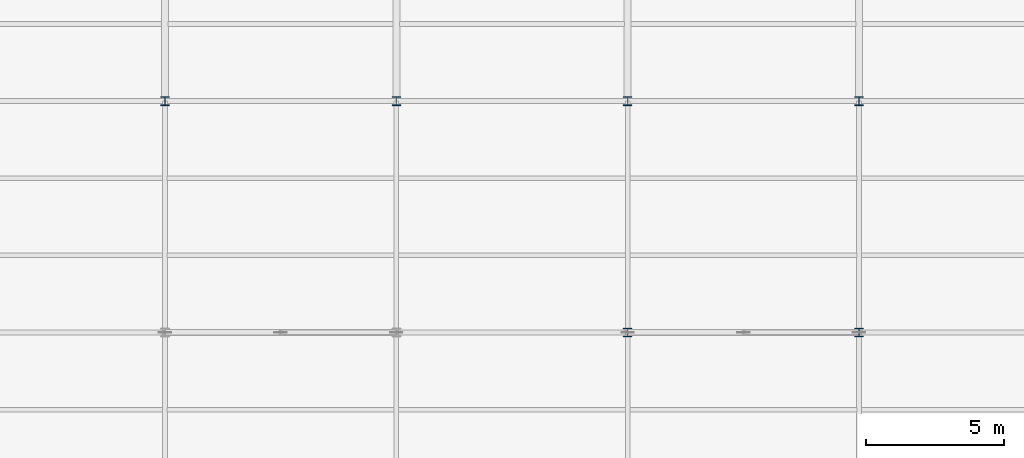
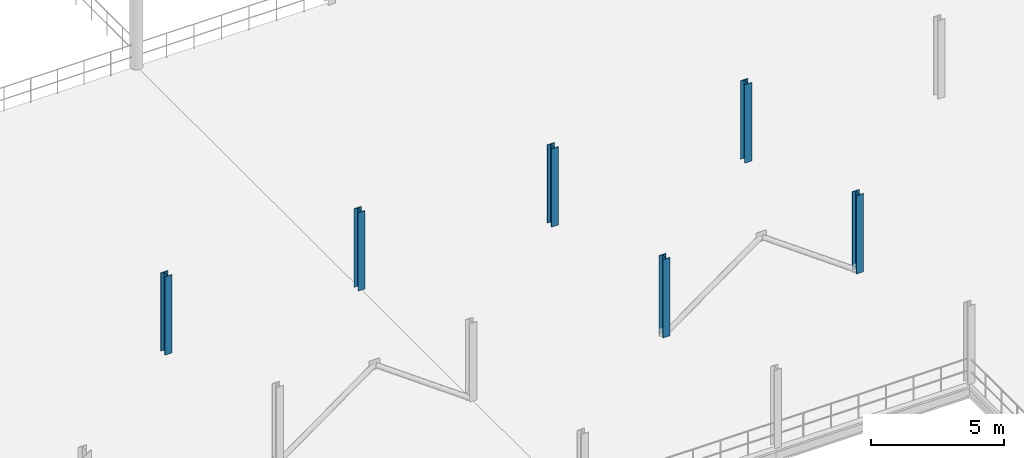
# One storey, part 8 of 47: 6 columns.
"""IFC4 building model written with IfcOpenShell, lengths in metres."""

from ifc_helpers import new_model, si_unit, direction, frame, origin, origin_2d, place, context, subcontext, project, spatial, i_section, extrude, material, material_profile, profile_set, type_object, element, save


model = new_model("IFC4")

# Units and contexts
model_context = context("Model", 3, precision=1e-05, world=origin(), true_north=direction((0.0, 1.0)))
body_context = subcontext(model_context, "Body", "Model", "MODEL_VIEW")
ifc_project = project(units=[si_unit("LENGTHUNIT", "METRE"), si_unit("AREAUNIT", "SQUARE_METRE"), si_unit("VOLUMEUNIT", "CUBIC_METRE"), si_unit("PLANEANGLEUNIT", "RADIAN"), si_unit("MASSUNIT", "GRAM", prefix="KILO"), si_unit("THERMODYNAMICTEMPERATUREUNIT", "KELVIN"), si_unit("POWERUNIT", "WATT")], contexts=[model_context])

# Site, building, storey
site_placement = place(None, origin())
site = spatial("IfcSite", under=ifc_project, at=site_placement, CompositionType="ELEMENT")
building_placement = place(site_placement, origin())
building = spatial("IfcBuilding", under=site, at=building_placement, Name="Tembeka Court Mobility Hub", CompositionType="ELEMENT")
storey_placement = place(building_placement, frame((0.0, 0.0, 19.800048828125)))
storey = spatial("IfcBuildingStorey", under=building, at=storey_placement, Name="L05", CompositionType="ELEMENT", Elevation=19.800048828125)

# Columns
ifc_material = material(Name="Steel S355", Category="steel")
ifc_material_profile = material_profile(ifc_material, i_section(OverallWidth=0.30908203125, OverallDepth=0.321044921875, WebThickness=0.013916015625, FlangeThickness=0.021728515625, FilletRadius=0.01513671875, at=origin_2d()), Name="UKC 305x305x137")
ifc_profile_set = profile_set([ifc_material_profile], Name="Steel S355")
column_type = type_object("IfcColumnType", Name="COL-C04", PredefinedType="COLUMN", material=ifc_profile_set)
for number, where, z_axis, x_axis, name in (
    (1, (33.60009765625, 80.39990234375, 0.0), (0.0, 0.0, 1.0), (1.0, 0.0, 0.0), "Column C04 (L05-055)"),
    (2, (42.0, 80.39990234375, 0.0), (0.0, 0.0, 1.0), (1.0, 0.0, 0.0), "Column C04 (L05-067)"),
    (3, (50.39990234375, 72.0, 0.0), (0.0, 0.0, 1.0), (1.0, 0.0, 0.0), "Column C04 (L05-078)"),
    (4, (50.39990234375, 80.39990234375, 0.0), (0.0, 0.0, 1.0), (1.0, 0.0, 0.0), "Column C04 (L05-079)"),
    (5, (58.800048828125, 72.0, 0.0), (0.0, 0.0, 1.0), (1.0, 0.0, 0.0), "Column C04 (L05-089)"),
    (6, (58.800048828125, 80.39990234375, 0.0), (0.0, 0.0, 1.0), (1.0, 0.0, 0.0), "Column C04 (L05-090)"),
):
    element("IfcColumn", number, at=place(storey_placement, frame(where, z_axis=z_axis, x_axis=x_axis)), inside=storey, type_object=column_type, Name=name, PredefinedType="COLUMN", context=body_context, shape_type="SweptSolid", body=[
        extrude(i_section(OverallWidth=0.30908203125, OverallDepth=0.321044921875, WebThickness=0.013916015625, FlangeThickness=0.021728515625, FilletRadius=0.01513671875, at=origin_2d()), origin(), (0.0, 0.0, 1.0), 3.599853515625),
    ])

save(model, "model.ifc")
